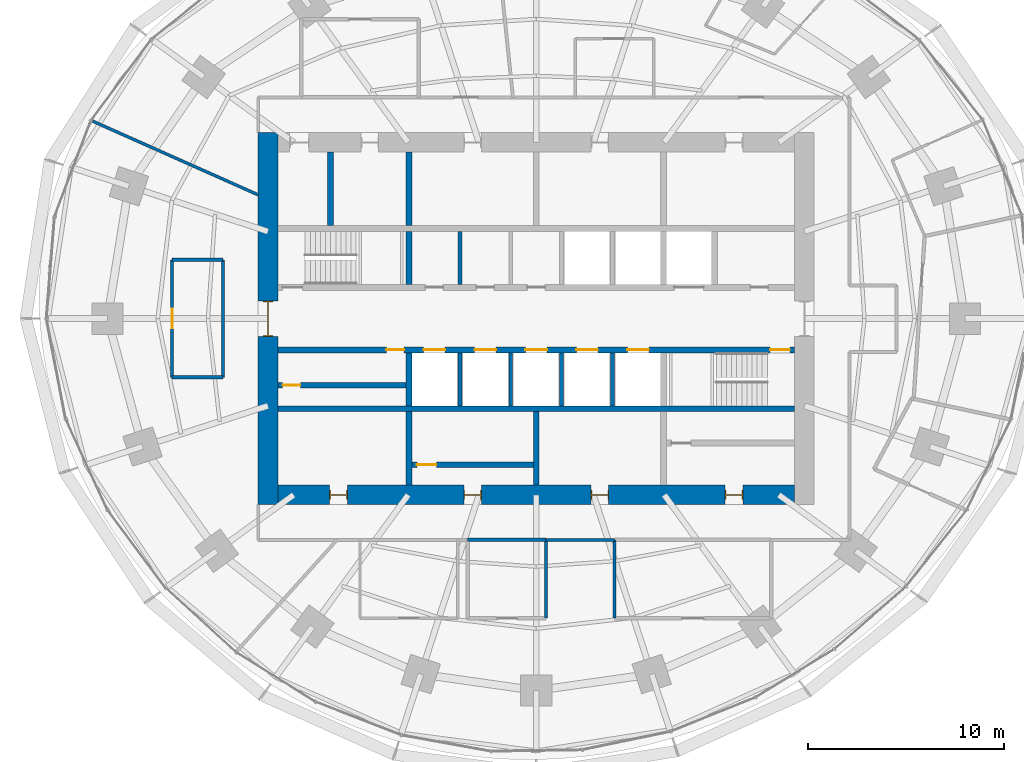
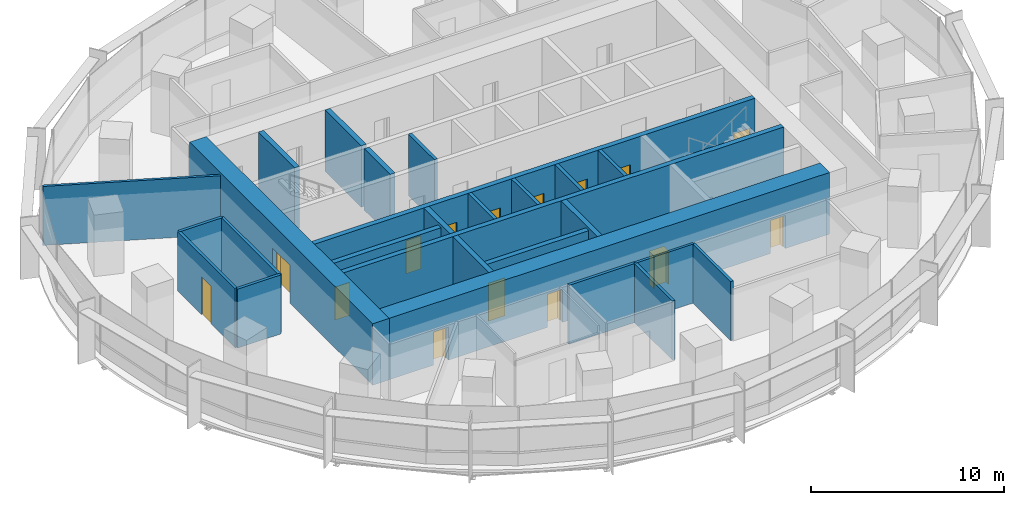
# One storey, part 10 of 14: 26 walls, 15 doors, 15 openings.
"""IFC4 building model written with IfcOpenShell, lengths in metres."""

from ifc_helpers import new_model, si_unit, direction, frame, frame_2d, origin, place, context, subcontext, project, spatial, rectangle, extrude, material, layer, layer_set, type_object, element, fill, save


model = new_model("IFC4")

# Units and contexts
model_context = context("Model", 3, precision=1e-05, world=origin(), true_north=direction((0.0, 1.0)))
body_context = subcontext(model_context, "Body", "Model", "MODEL_VIEW")
ifc_project = project(units=[si_unit("LENGTHUNIT", "METRE"), si_unit("AREAUNIT", "SQUARE_METRE"), si_unit("VOLUMEUNIT", "CUBIC_METRE"), si_unit("PLANEANGLEUNIT", "RADIAN"), si_unit("MASSUNIT", "GRAM", prefix="KILO")], contexts=[model_context])

# Site, building, storey
site_placement = place(None, origin())
site = spatial("IfcSite", under=ifc_project, at=site_placement, CompositionType="ELEMENT")
building_placement = place(site_placement, origin())
building = spatial("IfcBuilding", under=site, at=building_placement, Name="Marramba Exchange Tower", CompositionType="ELEMENT")
storey_placement = place(building_placement, frame((0.0, 0.0, 127.5)))
storey = spatial("IfcBuildingStorey", under=building, at=storey_placement, Name="L30", CompositionType="ELEMENT", Elevation=127.5)

# Walls
ifc_material_1 = material(Name="Plasterboard on staggered double steel studs, acoustic insulation", Category="steel")
ifc_layer_1 = layer(ifc_material_1, 0.169921875)
ifc_layer_set_1 = layer_set([ifc_layer_1], Name="Acoustic partition 170")
wall_type_1 = type_object("IfcWallType", Name="Acoustic partition 170", PredefinedType="PARTITIONING", material=ifc_layer_set_1)
wall_1_placement = place(storey_placement, frame((-16.0, -3.0, 0.0), z_axis=(0.0, 0.0, 1.0), x_axis=(-1.0, 0.0, 0.0)))
element("IfcWall", 1, at=wall_1_placement, inside=storey, type_object=wall_type_1, Name="Acoustic partition L30 01", PredefinedType="PARTITIONING", context=body_context, shape_type="SweptSolid", body=[
    extrude(rectangle(XDim=2.60009765625, YDim=0.169921875, at=frame_2d((1.300048828125, 0.0))), origin(), (0.0, 0.0, 1.0), 3.739990234375),
])
for number, where, z_axis, x_axis, name in (
    (2, (0.5, -11.300048828125, 0.0), (0.0, 0.0, 1.0), (-1.0, 0.0, 0.0), "Acoustic partition L30 09"),
    (3, (0.5, -15.300048828125, 0.0), (0.0, 0.0, 1.0), (0.0, 1.0, 0.0), "Acoustic partition L30 11"),
    (4, (4.0, -11.300048828125, 0.0), (0.0, 0.0, 1.0), (0.0, -1.0, 0.0), "Acoustic partition L30 13"),
):
    element("IfcWall", number, at=place(storey_placement, frame(where, z_axis=z_axis, x_axis=x_axis)), inside=storey, type_object=wall_type_1, Name=name, PredefinedType="PARTITIONING", context=body_context, shape_type="SweptSolid", body=[
        extrude(rectangle(XDim=4.0, YDim=0.169921875, at=frame_2d((2.0, 0.0))), origin(), (0.0, 0.0, 1.0), 3.739990234375),
    ])
wall_2_placement = place(storey_placement, frame((-18.60009765625, 3.0, 0.0), z_axis=(0.0, 0.0, 1.0), x_axis=(1.0, 0.0, 0.0)))
element("IfcWall", 5, at=wall_2_placement, inside=storey, type_object=wall_type_1, Name="Acoustic partition L30 46", PredefinedType="PARTITIONING", context=body_context, shape_type="SweptSolid", body=[
    extrude(rectangle(XDim=2.60009765625, YDim=0.169921875, at=frame_2d((1.300048828125, 0.0))), origin(), (0.0, 0.0, 1.0), 3.739990234375),
])

# Wall, opening, door
wall_3_placement = place(storey_placement, frame((-18.60009765625, -3.0, 0.0), z_axis=(0.0, 0.0, 1.0), x_axis=(0.0, 1.0, 0.0)))
wall_3 = element("IfcWall", 6, at=wall_3_placement, inside=storey, type_object=wall_type_1, Name="Acoustic partition L30 47", PredefinedType="PARTITIONING", context=body_context, shape_type="SweptSolid", body=[
    extrude(rectangle(XDim=6.0, YDim=0.169921875, at=frame_2d((3.0, 0.0))), origin(), (0.0, 0.0, 1.0), 3.739990234375),
])
opening_1_placement = place(wall_3_placement, frame((2.5, 0.0, 0.0)))
opening_1 = element("IfcOpeningElement", 7, at=opening_1_placement, cuts=wall_3, Name="Opening D9", PredefinedType="OPENING", context=body_context, shape_type="SweptSolid", body=[
    extrude(rectangle(XDim=1.0, YDim=2.39990234375, at=frame_2d((0.5, 1.199951171875))), frame((0.0, 0.094970703125, 0.0), z_axis=(0.0, -1.0, 0.0), x_axis=(1.0, 0.0, 0.0)), (0.0, 0.0, 1.0), 0.18994140625),
])
ifc_material_2 = material(Name="Timber door", Category="wood")
door_type_1 = type_object("IfcDoorType", Name="Room door 1000x2400", OperationType="SINGLE_SWING_LEFT", PredefinedType="DOOR", material=ifc_material_2)
door_1_placement = place(opening_1_placement, frame((1.0, 0.0, 0.0), z_axis=(0.0, 0.0, 1.0), x_axis=(-1.0, 0.0, 0.0)))
door_1 = element("IfcDoor", 8, at=door_1_placement, inside=storey, type_object=door_type_1, Name="D9 Quiet Room 2 L30", OperationType="SINGLE_SWING_RIGHT", OverallHeight=2.39990234375, OverallWidth=1.0, PredefinedType="DOOR", context=body_context, shape_type="SweptSolid", body=[
    extrude(rectangle(XDim=1.0, YDim=2.39990234375, at=frame_2d((0.5, 1.199951171875))), frame((0.0, 0.025146484375, 0.0), z_axis=(0.0, -1.0, 0.0), x_axis=(1.0, 0.0, 0.0)), (0.0, 0.0, 1.0), 0.050048828125),
])
fill(opening_1, door_1)

# Walls
wall_4_placement = place(storey_placement, frame((-16.0, 3.0, 0.0), z_axis=(0.0, 0.0, 1.0), x_axis=(0.0, -1.0, 0.0)))
element("IfcWall", 9, at=wall_4_placement, inside=storey, type_object=wall_type_1, Name="Acoustic partition L30 48", PredefinedType="PARTITIONING", context=body_context, shape_type="SweptSolid", body=[
    extrude(rectangle(XDim=6.0, YDim=0.169921875, at=frame_2d((3.0, 0.0))), origin(), (0.0, 0.0, 1.0), 3.739990234375),
])
ifc_material_3 = material(Name="Concrete N50", Category="concrete")
ifc_layer_2 = layer(ifc_material_3, 0.199951171875)
ifc_layer_set_2 = layer_set([ifc_layer_2], Name="Core shaft wall 200")
wall_type_2 = type_object("IfcWallType", Name="Core shaft wall 200", PredefinedType="SHEAR", material=ifc_layer_set_2)
for number, where, z_axis, x_axis, name in (
    (10, (-3.89990234375, 1.75, 0.0), (0.0, 0.0, 1.0), (0.0, 1.0, 0.0), "Core wall SHN1 L30"),
    (11, (-3.89990234375, -1.75, 0.0), (0.0, 0.0, 1.0), (0.0, -1.0, 0.0), "Core wall SHS1 L30"),
    (12, (-1.300048828125, -1.75, 0.0), (0.0, 0.0, 1.0), (0.0, -1.0, 0.0), "Core wall SHS2 L30"),
    (13, (1.300048828125, -1.75, 0.0), (0.0, 0.0, 1.0), (0.0, -1.0, 0.0), "Core wall SHS3 L30"),
    (14, (3.89990234375, -1.75, 0.0), (0.0, 0.0, 1.0), (0.0, -1.0, 0.0), "Core wall SHS4 L30"),
):
    element("IfcWall", number, at=place(storey_placement, frame(where, z_axis=z_axis, x_axis=x_axis)), inside=storey, type_object=wall_type_2, Name=name, PredefinedType="SHEAR", context=body_context, shape_type="SweptSolid", body=[
        extrude(rectangle(XDim=2.699951171875, YDim=0.199951171875, at=frame_2d((1.35009765625, 0.0))), origin(), (0.0, 0.0, 1.0), 3.89990234375),
    ])

# Wall, openings, doors
ifc_layer_3 = layer(ifc_material_3, 1.0)
ifc_layer_set_3 = layer_set([ifc_layer_3], Name="Core wall 1000")
wall_type_3 = type_object("IfcWallType", Name="Core wall 1000", PredefinedType="SHEAR", material=ifc_layer_set_3)
wall_5_placement = place(storey_placement, frame((-13.199951171875, -9.0, 0.0), z_axis=(0.0, 0.0, 1.0), x_axis=(1.0, 0.0, 0.0)))
wall_5 = element("IfcWall", 15, at=wall_5_placement, inside=storey, type_object=wall_type_3, Name="Core wall S L30", PredefinedType="SHEAR", context=body_context, shape_type="SweptSolid", body=[
    extrude(rectangle(XDim=26.39990234375, YDim=1.0, at=frame_2d((13.199951171875, 0.0))), origin(), (0.0, 0.0, 1.0), 3.89990234375),
])
opening_2_placement = place(wall_5_placement, frame((2.64990234375, 0.0, 0.0)))
opening_2 = element("IfcOpeningElement", 16, at=opening_2_placement, cuts=wall_5, Name="Opening D5", PredefinedType="OPENING", context=body_context, shape_type="SweptSolid", body=[
    extrude(rectangle(XDim=0.89990234375, YDim=2.10009765625, at=frame_2d((0.449951171875, 1.050048828125))), frame((0.0, 0.510009765625, 0.0), z_axis=(0.0, -1.0, 0.0), x_axis=(1.0, 0.0, 0.0)), (0.0, 0.0, 1.0), 1.02001953125),
])
opening_3_placement = place(wall_5_placement, frame((9.5, 0.0, 0.0)))
opening_3 = element("IfcOpeningElement", 17, at=opening_3_placement, cuts=wall_5, Name="Opening D5", PredefinedType="OPENING", context=body_context, shape_type="SweptSolid", body=[
    extrude(rectangle(XDim=0.89990234375, YDim=2.10009765625, at=frame_2d((0.449951171875, 1.050048828125))), frame((0.0, 0.510009765625, 0.0), z_axis=(0.0, -1.0, 0.0), x_axis=(1.0, 0.0, 0.0)), (0.0, 0.0, 1.0), 1.02001953125),
])
opening_4_placement = place(wall_5_placement, frame((16.0, 0.0, 0.0)))
opening_4 = element("IfcOpeningElement", 18, at=opening_4_placement, cuts=wall_5, Name="Opening D5", PredefinedType="OPENING", context=body_context, shape_type="SweptSolid", body=[
    extrude(rectangle(XDim=0.89990234375, YDim=2.10009765625, at=frame_2d((0.449951171875, 1.050048828125))), frame((0.0, 0.510009765625, 0.0), z_axis=(0.0, -1.0, 0.0), x_axis=(1.0, 0.0, 0.0)), (0.0, 0.0, 1.0), 1.02001953125),
])
opening_5_placement = place(wall_5_placement, frame((22.85009765625, 0.0, 0.0)))
opening_5 = element("IfcOpeningElement", 19, at=opening_5_placement, cuts=wall_5, Name="Opening D5", PredefinedType="OPENING", context=body_context, shape_type="SweptSolid", body=[
    extrude(rectangle(XDim=0.89990234375, YDim=2.10009765625, at=frame_2d((0.449951171875, 1.050048828125))), frame((0.0, 0.510009765625, 0.0), z_axis=(0.0, -1.0, 0.0), x_axis=(1.0, 0.0, 0.0)), (0.0, 0.0, 1.0), 1.02001953125),
])
ifc_material_4 = material(Name="Steel-framed door", Category="steel")
door_type_2 = type_object("IfcDoorType", Name="Service door 900x2100", OperationType="SINGLE_SWING_LEFT", PredefinedType="DOOR", material=ifc_material_4)
door_2_placement = place(opening_2_placement, origin())
door_2 = element("IfcDoor", 20, at=door_2_placement, inside=storey, type_object=door_type_2, Name="D5 ahu L30", OperationType="SINGLE_SWING_LEFT", OverallHeight=2.10009765625, OverallWidth=0.89990234375, PredefinedType="DOOR", context=body_context, shape_type="SweptSolid", body=[
    extrude(rectangle(XDim=0.81982421875, YDim=2.06005859375, at=frame_2d((0.449951171875, 1.030029296875))), frame((0.0, 0.02490234375, 0.0), z_axis=(0.0, -1.0, 0.0), x_axis=(1.0, 0.0, 0.0)), (0.0, 0.0, 1.0), 0.050048828125),
    extrude(rectangle(XDim=0.04, YDim=2.10009765625, at=frame_2d((0.02001953125, 1.050048828125))), frame((0.0, 0.25, 0.0), z_axis=(0.0, -1.0, 0.0), x_axis=(1.0, 0.0, 0.0)), (0.0, 0.0, 1.0), 0.5),
    extrude(rectangle(XDim=0.04, YDim=2.10009765625, at=frame_2d((0.8798828125, 1.050048828125))), frame((0.0, 0.25, 0.0), z_axis=(0.0, -1.0, 0.0), x_axis=(1.0, 0.0, 0.0)), (0.0, 0.0, 1.0), 0.5),
    extrude(rectangle(XDim=0.81982421875, YDim=0.04, at=frame_2d((0.449951171875, 2.080078125))), frame((0.0, 0.25, 0.0), z_axis=(0.0, -1.0, 0.0), x_axis=(1.0, 0.0, 0.0)), (0.0, 0.0, 1.0), 0.5),
])
fill(opening_2, door_2)
door_3_placement = place(opening_3_placement, origin())
door_3 = element("IfcDoor", 21, at=door_3_placement, inside=storey, type_object=door_type_2, Name="D5 store L30", OperationType="SINGLE_SWING_RIGHT", OverallHeight=2.10009765625, OverallWidth=0.89990234375, PredefinedType="DOOR", context=body_context, shape_type="SweptSolid", body=[
    extrude(rectangle(XDim=0.81982421875, YDim=2.06005859375, at=frame_2d((0.449951171875, 1.030029296875))), frame((0.0, 0.02490234375, 0.0), z_axis=(0.0, -1.0, 0.0), x_axis=(1.0, 0.0, 0.0)), (0.0, 0.0, 1.0), 0.050048828125),
    extrude(rectangle(XDim=0.04, YDim=2.10009765625, at=frame_2d((0.02001953125, 1.050048828125))), frame((0.0, 0.25, 0.0), z_axis=(0.0, -1.0, 0.0), x_axis=(1.0, 0.0, 0.0)), (0.0, 0.0, 1.0), 0.5),
    extrude(rectangle(XDim=0.04, YDim=2.10009765625, at=frame_2d((0.8798828125, 1.050048828125))), frame((0.0, 0.25, 0.0), z_axis=(0.0, -1.0, 0.0), x_axis=(1.0, 0.0, 0.0)), (0.0, 0.0, 1.0), 0.5),
    extrude(rectangle(XDim=0.81982421875, YDim=0.04, at=frame_2d((0.449951171875, 2.080078125))), frame((0.0, 0.25, 0.0), z_axis=(0.0, -1.0, 0.0), x_axis=(1.0, 0.0, 0.0)), (0.0, 0.0, 1.0), 0.5),
])
fill(opening_3, door_3)
door_4_placement = place(opening_4_placement, origin())
door_4 = element("IfcDoor", 22, at=door_4_placement, inside=storey, type_object=door_type_2, Name="D5 switch L30", OperationType="SINGLE_SWING_RIGHT", OverallHeight=2.10009765625, OverallWidth=0.89990234375, PredefinedType="DOOR", context=body_context, shape_type="SweptSolid", body=[
    extrude(rectangle(XDim=0.81982421875, YDim=2.06005859375, at=frame_2d((0.449951171875, 1.030029296875))), frame((0.0, 0.02490234375, 0.0), z_axis=(0.0, -1.0, 0.0), x_axis=(1.0, 0.0, 0.0)), (0.0, 0.0, 1.0), 0.050048828125),
    extrude(rectangle(XDim=0.04, YDim=2.10009765625, at=frame_2d((0.02001953125, 1.050048828125))), frame((0.0, 0.25, 0.0), z_axis=(0.0, -1.0, 0.0), x_axis=(1.0, 0.0, 0.0)), (0.0, 0.0, 1.0), 0.5),
    extrude(rectangle(XDim=0.04, YDim=2.10009765625, at=frame_2d((0.8798828125, 1.050048828125))), frame((0.0, 0.25, 0.0), z_axis=(0.0, -1.0, 0.0), x_axis=(1.0, 0.0, 0.0)), (0.0, 0.0, 1.0), 0.5),
    extrude(rectangle(XDim=0.81982421875, YDim=0.04, at=frame_2d((0.449951171875, 2.080078125))), frame((0.0, 0.25, 0.0), z_axis=(0.0, -1.0, 0.0), x_axis=(1.0, 0.0, 0.0)), (0.0, 0.0, 1.0), 0.5),
])
fill(opening_4, door_4)
door_5_placement = place(opening_5_placement, origin())
door_5 = element("IfcDoor", 23, at=door_5_placement, inside=storey, type_object=door_type_2, Name="D5 cstore L30", OperationType="SINGLE_SWING_RIGHT", OverallHeight=2.10009765625, OverallWidth=0.89990234375, PredefinedType="DOOR", context=body_context, shape_type="SweptSolid", body=[
    extrude(rectangle(XDim=0.81982421875, YDim=2.06005859375, at=frame_2d((0.449951171875, 1.030029296875))), frame((0.0, 0.02490234375, 0.0), z_axis=(0.0, -1.0, 0.0), x_axis=(1.0, 0.0, 0.0)), (0.0, 0.0, 1.0), 0.050048828125),
    extrude(rectangle(XDim=0.04, YDim=2.10009765625, at=frame_2d((0.02001953125, 1.050048828125))), frame((0.0, 0.25, 0.0), z_axis=(0.0, -1.0, 0.0), x_axis=(1.0, 0.0, 0.0)), (0.0, 0.0, 1.0), 0.5),
    extrude(rectangle(XDim=0.04, YDim=2.10009765625, at=frame_2d((0.8798828125, 1.050048828125))), frame((0.0, 0.25, 0.0), z_axis=(0.0, -1.0, 0.0), x_axis=(1.0, 0.0, 0.0)), (0.0, 0.0, 1.0), 0.5),
    extrude(rectangle(XDim=0.81982421875, YDim=0.04, at=frame_2d((0.449951171875, 2.080078125))), frame((0.0, 0.25, 0.0), z_axis=(0.0, -1.0, 0.0), x_axis=(1.0, 0.0, 0.0)), (0.0, 0.0, 1.0), 0.5),
])
fill(opening_5, door_5)

# Wall, opening, door
wall_6_placement = place(storey_placement, frame((-13.699951171875, 9.5, 0.0), z_axis=(0.0, 0.0, 1.0), x_axis=(0.0, -1.0, 0.0)))
wall_6 = element("IfcWall", 24, at=wall_6_placement, inside=storey, type_object=wall_type_3, Name="Core wall W L30", PredefinedType="SHEAR", context=body_context, shape_type="SweptSolid", body=[
    extrude(rectangle(XDim=19.0, YDim=1.0, at=frame_2d((9.5, 0.0))), origin(), (0.0, 0.0, 1.0), 3.89990234375),
])
opening_6_placement = place(wall_6_placement, frame((8.60009765625, 0.0, 0.0)))
opening_6 = element("IfcOpeningElement", 25, at=opening_6_placement, cuts=wall_6, Name="Opening D1", PredefinedType="OPENING", context=body_context, shape_type="SweptSolid", body=[
    extrude(rectangle(XDim=1.800048828125, YDim=2.39990234375, at=frame_2d((0.89990234375, 1.199951171875))), frame((0.0, 0.510009765625, 0.0), z_axis=(0.0, -1.0, 0.0), x_axis=(1.0, 0.0, 0.0)), (0.0, 0.0, 1.0), 1.02001953125),
])
door_type_3 = type_object("IfcDoorType", Name="Lobby exit door 1800x2400", OperationType="DOUBLE_DOOR_SINGLE_SWING", PredefinedType="DOOR", material=ifc_material_4)
door_6_placement = place(opening_6_placement, origin())
door_6 = element("IfcDoor", 26, at=door_6_placement, inside=storey, type_object=door_type_3, Name="D1 lobby exit west L30", OperationType="DOUBLE_DOOR_SINGLE_SWING", OverallHeight=2.39990234375, OverallWidth=1.800048828125, PredefinedType="DOOR", context=body_context, shape_type="SweptSolid", body=[
    extrude(rectangle(XDim=1.719970703125, YDim=2.35986328125, at=frame_2d((0.89990234375, 1.179931640625))), frame((0.0, 0.02490234375, 0.0), z_axis=(0.0, -1.0, 0.0), x_axis=(1.0, 0.0, 0.0)), (0.0, 0.0, 1.0), 0.050048828125),
    extrude(rectangle(XDim=0.04, YDim=2.39990234375, at=frame_2d((0.02001953125, 1.199951171875))), frame((0.0, 0.25, 0.0), z_axis=(0.0, -1.0, 0.0), x_axis=(1.0, 0.0, 0.0)), (0.0, 0.0, 1.0), 0.5),
    extrude(rectangle(XDim=0.04, YDim=2.39990234375, at=frame_2d((1.780029296875, 1.199951171875))), frame((0.0, 0.25, 0.0), z_axis=(0.0, -1.0, 0.0), x_axis=(1.0, 0.0, 0.0)), (0.0, 0.0, 1.0), 0.5),
    extrude(rectangle(XDim=1.719970703125, YDim=0.04, at=frame_2d((0.89990234375, 2.3798828125))), frame((0.0, 0.25, 0.0), z_axis=(0.0, -1.0, 0.0), x_axis=(1.0, 0.0, 0.0)), (0.0, 0.0, 1.0), 0.5),
])
fill(opening_6, door_6)

# Wall, openings, doors
ifc_layer_4 = layer(ifc_material_3, 0.300048828125)
ifc_layer_set_4 = layer_set([ifc_layer_4], Name="Core wall 300")
wall_type_4 = type_object("IfcWallType", Name="Core wall 300", PredefinedType="SHEAR", material=ifc_layer_set_4)
wall_7_placement = place(storey_placement, frame((-13.199951171875, -1.60009765625, 0.0), z_axis=(0.0, 0.0, 1.0), x_axis=(1.0, 0.0, 0.0)))
wall_7 = element("IfcWall", 27, at=wall_7_placement, inside=storey, type_object=wall_type_4, Name="Core wall LS L30", PredefinedType="SHEAR", context=body_context, shape_type="SweptSolid", body=[
    extrude(rectangle(XDim=26.39990234375, YDim=0.300048828125, at=frame_2d((13.199951171875, 0.0))), origin(), (0.0, 0.0, 1.0), 3.89990234375),
])
opening_7_placement = place(wall_7_placement, frame((25.14990234375, 0.0, 0.0)))
opening_7 = element("IfcOpeningElement", 28, at=opening_7_placement, cuts=wall_7, Name="Opening D2", PredefinedType="OPENING", context=body_context, shape_type="SweptSolid", body=[
    extrude(rectangle(XDim=1.0, YDim=2.10009765625, at=frame_2d((0.5, 1.050048828125))), frame((0.0, 0.159912109375, 0.0), z_axis=(0.0, -1.0, 0.0), x_axis=(1.0, 0.0, 0.0)), (0.0, 0.0, 1.0), 0.320068359375),
])
opening_8_placement = place(wall_7_placement, frame((7.449951171875, 0.0, 0.0)))
opening_8 = element("IfcOpeningElement", 29, at=opening_8_placement, cuts=wall_7, Name="Opening LD1", PredefinedType="OPENING", context=body_context, shape_type="SweptSolid", body=[
    extrude(rectangle(XDim=1.10009765625, YDim=2.300048828125, at=frame_2d((0.550048828125, 1.14990234375))), frame((0.0, 0.159912109375, 0.0), z_axis=(0.0, -1.0, 0.0), x_axis=(1.0, 0.0, 0.0)), (0.0, 0.0, 1.0), 0.320068359375),
])
opening_9_placement = place(wall_7_placement, frame((10.050048828125, 0.0, 0.0)))
opening_9 = element("IfcOpeningElement", 30, at=opening_9_placement, cuts=wall_7, Name="Opening LD1", PredefinedType="OPENING", context=body_context, shape_type="SweptSolid", body=[
    extrude(rectangle(XDim=1.10009765625, YDim=2.300048828125, at=frame_2d((0.550048828125, 1.14990234375))), frame((0.0, 0.159912109375, 0.0), z_axis=(0.0, -1.0, 0.0), x_axis=(1.0, 0.0, 0.0)), (0.0, 0.0, 1.0), 0.320068359375),
])
opening_10_placement = place(wall_7_placement, frame((12.64990234375, 0.0, 0.0)))
opening_10 = element("IfcOpeningElement", 31, at=opening_10_placement, cuts=wall_7, Name="Opening LD1", PredefinedType="OPENING", context=body_context, shape_type="SweptSolid", body=[
    extrude(rectangle(XDim=1.10009765625, YDim=2.300048828125, at=frame_2d((0.550048828125, 1.14990234375))), frame((0.0, 0.159912109375, 0.0), z_axis=(0.0, -1.0, 0.0), x_axis=(1.0, 0.0, 0.0)), (0.0, 0.0, 1.0), 0.320068359375),
])
opening_11_placement = place(wall_7_placement, frame((15.25, 0.0, 0.0)))
opening_11 = element("IfcOpeningElement", 32, at=opening_11_placement, cuts=wall_7, Name="Opening LD2", PredefinedType="OPENING", context=body_context, shape_type="SweptSolid", body=[
    extrude(rectangle(XDim=1.10009765625, YDim=2.300048828125, at=frame_2d((0.550048828125, 1.14990234375))), frame((0.0, 0.159912109375, 0.0), z_axis=(0.0, -1.0, 0.0), x_axis=(1.0, 0.0, 0.0)), (0.0, 0.0, 1.0), 0.320068359375),
])
opening_12_placement = place(wall_7_placement, frame((17.85009765625, 0.0, 0.0)))
opening_12 = element("IfcOpeningElement", 33, at=opening_12_placement, cuts=wall_7, Name="Opening LD2", PredefinedType="OPENING", context=body_context, shape_type="SweptSolid", body=[
    extrude(rectangle(XDim=1.10009765625, YDim=2.300048828125, at=frame_2d((0.550048828125, 1.14990234375))), frame((0.0, 0.159912109375, 0.0), z_axis=(0.0, -1.0, 0.0), x_axis=(1.0, 0.0, 0.0)), (0.0, 0.0, 1.0), 0.320068359375),
])
opening_13_placement = place(wall_7_placement, frame((5.550048828125, 0.0, 0.0)))
opening_13 = element("IfcOpeningElement", 34, at=opening_13_placement, cuts=wall_7, Name="Opening D5", PredefinedType="OPENING", context=body_context, shape_type="SweptSolid", body=[
    extrude(rectangle(XDim=0.89990234375, YDim=2.10009765625, at=frame_2d((0.449951171875, 1.050048828125))), frame((0.0, 0.159912109375, 0.0), z_axis=(0.0, -1.0, 0.0), x_axis=(1.0, 0.0, 0.0)), (0.0, 0.0, 1.0), 0.320068359375),
])
door_type_4 = type_object("IfcDoorType", Name="Emergency lift landing door 1100x2300", OperationType="SLIDING_TO_LEFT", PredefinedType="DOOR", material=ifc_material_4)
door_7_placement = place(opening_11_placement, frame((1.10009765625, 0.0, 0.0), z_axis=(0.0, 0.0, 1.0), x_axis=(-1.0, 0.0, 0.0)))
door_7 = element("IfcDoor", 35, at=door_7_placement, inside=storey, type_object=door_type_4, Name="FL1 landing door L30", OperationType="SLIDING_TO_RIGHT", OverallHeight=2.300048828125, OverallWidth=1.10009765625, PredefinedType="DOOR", context=body_context, shape_type="SweptSolid", body=[
    extrude(rectangle(XDim=1.10009765625, YDim=2.300048828125, at=frame_2d((0.550048828125, 1.14990234375))), frame((0.0, 0.025146484375, 0.0), z_axis=(0.0, -1.0, 0.0), x_axis=(1.0, 0.0, 0.0)), (0.0, 0.0, 1.0), 0.050048828125),
])
fill(opening_11, door_7)
door_8_placement = place(opening_12_placement, frame((1.10009765625, 0.0, 0.0), z_axis=(0.0, 0.0, 1.0), x_axis=(-1.0, 0.0, 0.0)))
door_8 = element("IfcDoor", 36, at=door_8_placement, inside=storey, type_object=door_type_4, Name="FL2 landing door L30", OperationType="SLIDING_TO_LEFT", OverallHeight=2.300048828125, OverallWidth=1.10009765625, PredefinedType="DOOR", context=body_context, shape_type="SweptSolid", body=[
    extrude(rectangle(XDim=1.10009765625, YDim=2.300048828125, at=frame_2d((0.550048828125, 1.14990234375))), frame((0.0, 0.025146484375, 0.0), z_axis=(0.0, -1.0, 0.0), x_axis=(1.0, 0.0, 0.0)), (0.0, 0.0, 1.0), 0.050048828125),
])
fill(opening_12, door_8)
door_type_5 = type_object("IfcDoorType", Name="Lift landing door 1100x2300", OperationType="SLIDING_TO_LEFT", PredefinedType="DOOR", material=ifc_material_4)
door_9_placement = place(opening_8_placement, frame((1.10009765625, 0.0, 0.0), z_axis=(0.0, 0.0, 1.0), x_axis=(-1.0, 0.0, 0.0)))
door_9 = element("IfcDoor", 37, at=door_9_placement, inside=storey, type_object=door_type_5, Name="LB1 landing door L30", OperationType="SLIDING_TO_LEFT", OverallHeight=2.300048828125, OverallWidth=1.10009765625, PredefinedType="DOOR", context=body_context, shape_type="SweptSolid", body=[
    extrude(rectangle(XDim=1.10009765625, YDim=2.300048828125, at=frame_2d((0.550048828125, 1.14990234375))), frame((0.0, 0.025146484375, 0.0), z_axis=(0.0, -1.0, 0.0), x_axis=(1.0, 0.0, 0.0)), (0.0, 0.0, 1.0), 0.050048828125),
])
fill(opening_8, door_9)
door_10_placement = place(opening_9_placement, frame((1.10009765625, 0.0, 0.0), z_axis=(0.0, 0.0, 1.0), x_axis=(-1.0, 0.0, 0.0)))
door_10 = element("IfcDoor", 38, at=door_10_placement, inside=storey, type_object=door_type_5, Name="LB2 landing door L30", OperationType="SLIDING_TO_RIGHT", OverallHeight=2.300048828125, OverallWidth=1.10009765625, PredefinedType="DOOR", context=body_context, shape_type="SweptSolid", body=[
    extrude(rectangle(XDim=1.10009765625, YDim=2.300048828125, at=frame_2d((0.550048828125, 1.14990234375))), frame((0.0, 0.025146484375, 0.0), z_axis=(0.0, -1.0, 0.0), x_axis=(1.0, 0.0, 0.0)), (0.0, 0.0, 1.0), 0.050048828125),
])
fill(opening_9, door_10)
door_11_placement = place(opening_10_placement, frame((1.10009765625, 0.0, 0.0), z_axis=(0.0, 0.0, 1.0), x_axis=(-1.0, 0.0, 0.0)))
door_11 = element("IfcDoor", 39, at=door_11_placement, inside=storey, type_object=door_type_5, Name="LB3 landing door L30", OperationType="SLIDING_TO_RIGHT", OverallHeight=2.300048828125, OverallWidth=1.10009765625, PredefinedType="DOOR", context=body_context, shape_type="SweptSolid", body=[
    extrude(rectangle(XDim=1.10009765625, YDim=2.300048828125, at=frame_2d((0.550048828125, 1.14990234375))), frame((0.0, 0.025146484375, 0.0), z_axis=(0.0, -1.0, 0.0), x_axis=(1.0, 0.0, 0.0)), (0.0, 0.0, 1.0), 0.050048828125),
])
fill(opening_10, door_11)
door_12_placement = place(opening_13_placement, frame((0.89990234375, 0.0, 0.0), z_axis=(0.0, 0.0, 1.0), x_axis=(-1.0, 0.0, 0.0)))
door_12 = element("IfcDoor", 40, at=door_12_placement, inside=storey, type_object=door_type_2, Name="D5 electrical riser L30", OperationType="SINGLE_SWING_LEFT", OverallHeight=2.10009765625, OverallWidth=0.89990234375, PredefinedType="DOOR", context=body_context, shape_type="SweptSolid", body=[
    extrude(rectangle(XDim=0.89990234375, YDim=2.10009765625, at=frame_2d((0.449951171875, 1.050048828125))), frame((0.0, 0.025146484375, 0.0), z_axis=(0.0, -1.0, 0.0), x_axis=(1.0, 0.0, 0.0)), (0.0, 0.0, 1.0), 0.050048828125),
])
fill(opening_13, door_12)
door_type_6 = type_object("IfcDoorType", Name="Stair door 1000x2100", OperationType="SINGLE_SWING_LEFT", PredefinedType="DOOR", material=ifc_material_4)
door_13_placement = place(opening_7_placement, frame((1.0, 0.0, 0.0), z_axis=(0.0, 0.0, 1.0), x_axis=(-1.0, 0.0, 0.0)))
door_13 = element("IfcDoor", 41, at=door_13_placement, inside=storey, type_object=door_type_6, Name="D2 stair ST2 L30", OperationType="SINGLE_SWING_LEFT", OverallHeight=2.10009765625, OverallWidth=1.0, PredefinedType="DOOR", context=body_context, shape_type="SweptSolid", body=[
    extrude(rectangle(XDim=1.0, YDim=2.10009765625, at=frame_2d((0.5, 1.050048828125))), frame((0.0, 0.025146484375, 0.0), z_axis=(0.0, -1.0, 0.0), x_axis=(1.0, 0.0, 0.0)), (0.0, 0.0, 1.0), 0.050048828125),
])
fill(opening_7, door_13)

# Walls
wall_8_placement = place(storey_placement, frame((-13.199951171875, -4.60009765625, 0.0), z_axis=(0.0, 0.0, 1.0), x_axis=(1.0, 0.0, 0.0)))
element("IfcWall", 42, at=wall_8_placement, inside=storey, type_object=wall_type_4, Name="Core wall BS L30", PredefinedType="SHEAR", context=body_context, shape_type="SweptSolid", body=[
    extrude(rectangle(XDim=26.39990234375, YDim=0.300048828125, at=frame_2d((13.199951171875, 0.0))), origin(), (0.0, 0.0, 1.0), 3.89990234375),
])
wall_9_placement = place(storey_placement, frame((-6.5, 1.75, 0.0), z_axis=(0.0, 0.0, 1.0), x_axis=(0.0, 1.0, 0.0)))
element("IfcWall", 43, at=wall_9_placement, inside=storey, type_object=wall_type_4, Name="Core wall X0Na L30", PredefinedType="SHEAR", context=body_context, shape_type="SweptSolid", body=[
    extrude(rectangle(XDim=2.699951171875, YDim=0.300048828125, at=frame_2d((1.35009765625, 0.0))), origin(), (0.0, 0.0, 1.0), 3.89990234375),
])
wall_10_placement = place(storey_placement, frame((-6.5, 4.75, 0.0), z_axis=(0.0, 0.0, 1.0), x_axis=(0.0, 1.0, 0.0)))
element("IfcWall", 44, at=wall_10_placement, inside=storey, type_object=wall_type_4, Name="Core wall X0Nb L30", PredefinedType="SHEAR", context=body_context, shape_type="SweptSolid", body=[
    extrude(rectangle(XDim=3.75, YDim=0.300048828125, at=frame_2d((1.875, 0.0))), origin(), (0.0, 0.0, 1.0), 3.89990234375),
])
wall_11_placement = place(storey_placement, frame((-6.5, -1.75, 0.0), z_axis=(0.0, 0.0, 1.0), x_axis=(0.0, -1.0, 0.0)))
element("IfcWall", 45, at=wall_11_placement, inside=storey, type_object=wall_type_4, Name="Core wall X0Sa L30", PredefinedType="SHEAR", context=body_context, shape_type="SweptSolid", body=[
    extrude(rectangle(XDim=2.699951171875, YDim=0.300048828125, at=frame_2d((1.35009765625, 0.0))), origin(), (0.0, 0.0, 1.0), 3.89990234375),
])
for number, where, z_axis, x_axis, name in (
    (46, (-6.5, -4.75, 0.0), (0.0, 0.0, 1.0), (0.0, -1.0, 0.0), "Core wall X0Sb L30"),
    (47, (0.0, -4.75, 0.0), (0.0, 0.0, 1.0), (0.0, -1.0, 0.0), "Core wall MS L30"),
    (48, (-10.5, 4.75, 0.0), (0.0, 0.0, 1.0), (0.0, 1.0, 0.0), "Core wall WD L30"),
):
    element("IfcWall", number, at=place(storey_placement, frame(where, z_axis=z_axis, x_axis=x_axis)), inside=storey, type_object=wall_type_4, Name=name, PredefinedType="SHEAR", context=body_context, shape_type="SweptSolid", body=[
        extrude(rectangle(XDim=3.75, YDim=0.300048828125, at=frame_2d((1.875, 0.0))), origin(), (0.0, 0.0, 1.0), 3.89990234375),
    ])

# Wall, opening, door
ifc_material_5 = material(Name="Core-filled concrete blockwork", Category="masonry")
ifc_layer_5 = layer(ifc_material_5, 0.300048828125)
ifc_layer_set_5 = layer_set([ifc_layer_5], Name="Riser enclosure wall 300")
wall_type_5 = type_object("IfcWallType", Name="Riser enclosure wall 300", PredefinedType="SOLIDWALL", material=ifc_layer_set_5)
wall_12_placement = place(storey_placement, frame((-13.199951171875, -3.39990234375, 0.0), z_axis=(0.0, 0.0, 1.0), x_axis=(1.0, 0.0, 0.0)))
wall_12 = element("IfcWall", 49, at=wall_12_placement, inside=storey, type_object=wall_type_5, Name="Riser enclosure wall L30", PredefinedType="SOLIDWALL", context=body_context, shape_type="SweptSolid", body=[
    extrude(rectangle(XDim=6.550048828125, YDim=0.300048828125, at=frame_2d((3.27490234375, 0.0))), origin(), (0.0, 0.0, 1.0), 3.739990234375),
])
opening_14_placement = place(wall_12_placement, frame((0.25, 0.0, 0.0)))
opening_14 = element("IfcOpeningElement", 50, at=opening_14_placement, cuts=wall_12, Name="Opening D5", PredefinedType="OPENING", context=body_context, shape_type="SweptSolid", body=[
    extrude(rectangle(XDim=0.89990234375, YDim=2.10009765625, at=frame_2d((0.449951171875, 1.050048828125))), frame((0.0, 0.159912109375, 0.0), z_axis=(0.0, -1.0, 0.0), x_axis=(1.0, 0.0, 0.0)), (0.0, 0.0, 1.0), 0.320068359375),
])
door_14_placement = place(opening_14_placement, frame((0.89990234375, 0.0, 0.0), z_axis=(0.0, 0.0, 1.0), x_axis=(-1.0, 0.0, 0.0)))
door_14 = element("IfcDoor", 51, at=door_14_placement, inside=storey, type_object=door_type_2, Name="D5 electrical riser back L30", OperationType="SINGLE_SWING_RIGHT", OverallHeight=2.10009765625, OverallWidth=0.89990234375, PredefinedType="DOOR", context=body_context, shape_type="SweptSolid", body=[
    extrude(rectangle(XDim=0.89990234375, YDim=2.10009765625, at=frame_2d((0.449951171875, 1.050048828125))), frame((0.0, 0.025146484375, 0.0), z_axis=(0.0, -1.0, 0.0), x_axis=(1.0, 0.0, 0.0)), (0.0, 0.0, 1.0), 0.050048828125),
])
fill(opening_14, door_14)

ifc_material_6 = material(Name="Plasterboard on steel studs, insulated, unrated", Category="steel")
ifc_layer_6 = layer(ifc_material_6, 0.300048828125)
ifc_layer_set_6 = layer_set([ifc_layer_6], Name="Store partition 300")
wall_type_6 = type_object("IfcWallType", Name="Store partition 300", PredefinedType="PARTITIONING", material=ifc_layer_set_6)
wall_13_placement = place(storey_placement, frame((-6.35009765625, -7.4599609375, 0.0), z_axis=(0.0, 0.0, 1.0), x_axis=(1.0, 0.0, 0.0)))
wall_13 = element("IfcWall", 52, at=wall_13_placement, inside=storey, type_object=wall_type_6, Name="Store partition L30 store", PredefinedType="PARTITIONING", context=body_context, shape_type="SweptSolid", body=[
    extrude(rectangle(XDim=6.2001953125, YDim=0.300048828125, at=frame_2d((3.10009765625, 0.0))), origin(), (0.0, 0.0, 1.0), 3.739990234375),
])
opening_15_placement = place(wall_13_placement, frame((0.25, 0.0, 0.0)))
opening_15 = element("IfcOpeningElement", 53, at=opening_15_placement, cuts=wall_13, Name="Opening D9", PredefinedType="OPENING", context=body_context, shape_type="SweptSolid", body=[
    extrude(rectangle(XDim=1.0, YDim=2.39990234375, at=frame_2d((0.5, 1.199951171875))), frame((0.0, 0.159912109375, 0.0), z_axis=(0.0, -1.0, 0.0), x_axis=(1.0, 0.0, 0.0)), (0.0, 0.0, 1.0), 0.320068359375),
])
door_15_placement = place(opening_15_placement, frame((1.0, 0.0, 0.0), z_axis=(0.0, 0.0, 1.0), x_axis=(-1.0, 0.0, 0.0)))
door_15 = element("IfcDoor", 54, at=door_15_placement, inside=storey, type_object=door_type_1, Name="D9 stationery store L30", OperationType="SINGLE_SWING_RIGHT", OverallHeight=2.39990234375, OverallWidth=1.0, PredefinedType="DOOR", context=body_context, shape_type="SweptSolid", body=[
    extrude(rectangle(XDim=1.0, YDim=2.39990234375, at=frame_2d((0.5, 1.199951171875))), frame((0.0, 0.025146484375, 0.0), z_axis=(0.0, -1.0, 0.0), x_axis=(1.0, 0.0, 0.0)), (0.0, 0.0, 1.0), 0.050048828125),
])
fill(opening_15, door_15)

# Walls
ifc_material_7 = material(Name="Fire-rated plasterboard on steel studs, acoustic insulation", Category="steel")
ifc_layer_7 = layer(ifc_material_7, 0.14990234375)
ifc_layer_set_7 = layer_set([ifc_layer_7], Name="Tenancy wall 150")
wall_type_7 = type_object("IfcWallType", Name="Tenancy wall 150", PredefinedType="PARTITIONING", material=ifc_layer_set_7)
wall_14_placement = place(storey_placement, frame((0.5, -11.300048828125, 0.0), z_axis=(0.0, 0.0, 1.0), x_axis=(1.0, 0.0, 0.0)))
element("IfcWall", 55, at=wall_14_placement, inside=storey, type_object=wall_type_7, Name="Tenancy wall L30 12", PredefinedType="PARTITIONING", context=body_context, shape_type="SweptSolid", body=[
    extrude(rectangle(XDim=3.5, YDim=0.14990234375, at=frame_2d((1.75, 0.0))), origin(), (0.0, 0.0, 1.0), 3.739990234375),
])
wall_15_placement = place(storey_placement, frame((-14.199951171875, 6.322265625, 0.0), z_axis=(0.0, 0.0, 1.0), x_axis=(-0.913544220381, 0.406739421999, 0.0)))
element("IfcWall", 56, at=wall_15_placement, inside=storey, type_object=wall_type_7, Name="Tenancy wall L30 45", PredefinedType="PARTITIONING", context=body_context, shape_type="SweptSolid", body=[
    extrude(rectangle(XDim=9.271240234375, YDim=0.14990234375, at=frame_2d((4.6357421875, 0.0))), origin(), (0.0, 0.0, 1.0), 3.739990234375),
])

save(model, "model.ifc")
